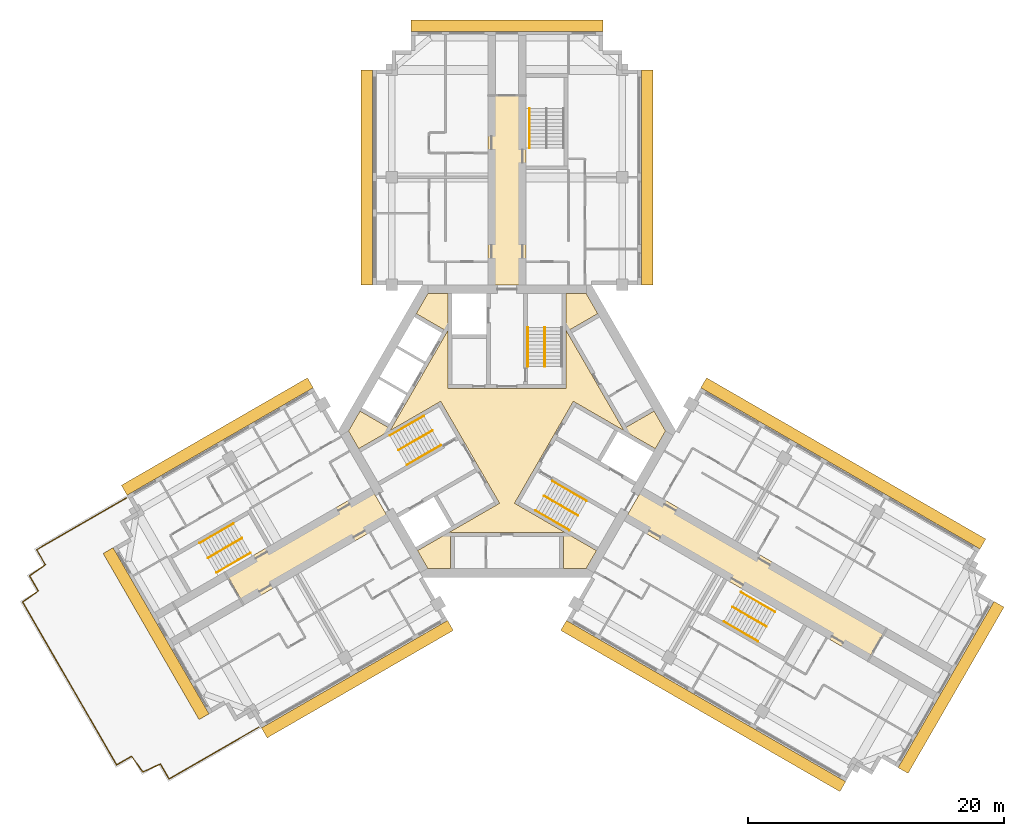
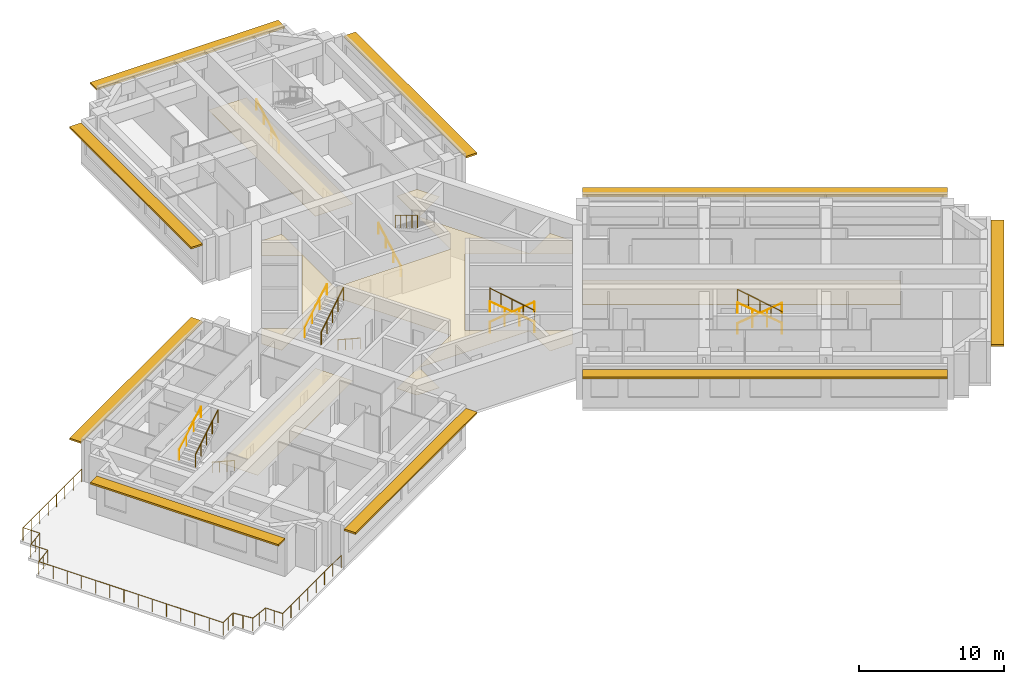
# One storey, part 10 of 11: 16 railings, 4 coverings, 3 shading devices.
"""IFC4 building model written with IfcOpenShell, lengths in metres."""

from ifc_helpers import new_model, si_unit, direction, frame, origin, origin_2d, place, context, subcontext, project, spatial, polyline, rectangle, circle, outline, extrude, material, layer, layer_set, type_object, element, save


model = new_model("IFC4")

# Units and contexts
model_context = context("Model", 3, precision=1e-05, world=origin(), true_north=direction((0.0, 1.0)))
body_context = subcontext(model_context, "Body", "Model", "MODEL_VIEW")
ifc_project = project(units=[si_unit("LENGTHUNIT", "METRE"), si_unit("AREAUNIT", "SQUARE_METRE"), si_unit("VOLUMEUNIT", "CUBIC_METRE"), si_unit("PLANEANGLEUNIT", "RADIAN"), si_unit("MASSUNIT", "GRAM", prefix="KILO")], contexts=[model_context])

# Site, building, storey
site_placement = place(None, origin())
site = spatial("IfcSite", under=ifc_project, at=site_placement, CompositionType="ELEMENT")
building_placement = place(site_placement, origin())
building = spatial("IfcBuilding", under=site, at=building_placement, Name="Impinga Residences", CompositionType="ELEMENT")
storey_placement = place(building_placement, frame((0.0, 0.0, 218.5)))
storey = spatial("IfcBuildingStorey", under=building, at=storey_placement, Name="L54", CompositionType="ELEMENT", Elevation=218.5)

# Coverings
ifc_material_1 = material(Name="Plasterboard 15 mm on steel hangers", Category="steel")
ifc_layer_1 = layer(ifc_material_1, 0.014892578125)
ifc_layer_set_1 = layer_set([ifc_layer_1], Name="Plasterboard 15 mm on steel hangers")
covering_type_1 = type_object("IfcCoveringType", Name="CL1 corridor ceiling, 15 mm plasterboard on hangers", PredefinedType="CEILING", material=ifc_layer_set_1)
covering_1_placement = place(storey_placement, frame((0.0, 0.0, 2.39990234375)))
element("IfcCovering", 1, at=covering_1_placement, inside=storey, type_object=covering_type_1, Name="Corridor ceiling CL1 L54-N00", PredefinedType="CEILING", context=body_context, shape_type="SweptSolid", body=[
    extrude(outline(polyline([(-1.5, 11.431640625), (1.5, 11.431640625), (1.5, 26.181640625), (-1.5, 26.181640625), (-1.5, 11.431640625)])), origin(), (0.0, 0.0, 1.0), 0.01513671875),
])
covering_2_placement = place(storey_placement, frame((0.0, 0.0, 2.39990234375)))
element("IfcCovering", 2, at=covering_2_placement, inside=storey, type_object=covering_type_1, Name="Corridor ceiling CL1 L54-W00", PredefinedType="CEILING", context=body_context, shape_type="SweptSolid", body=[
    extrude(outline(polyline([(-9.14990234375, -7.014892578125), (-10.64990234375, -4.416748046875), (-22.038330078125, -10.99169921875), (-20.538330078125, -13.58984375), (-9.14990234375, -7.014892578125)])), origin(), (0.0, 0.0, 1.0), 0.01513671875),
])
covering_3_placement = place(storey_placement, frame((0.0, 0.0, 2.39990234375)))
element("IfcCovering", 3, at=covering_3_placement, inside=storey, type_object=covering_type_1, Name="Corridor ceiling CL1 L54-E00", PredefinedType="CEILING", context=body_context, shape_type="SweptSolid", body=[
    extrude(outline(polyline([(10.64990234375, -4.416748046875), (9.14990234375, -7.014892578125), (28.1591796875, -17.98974609375), (29.6591796875, -15.391845703125), (10.64990234375, -4.416748046875)])), origin(), (0.0, 0.0, 1.0), 0.01513671875),
])
ifc_material_2 = material(Name="Mineral fibre tiles 20 mm on exposed grid", Category="mineral fibre")
ifc_layer_2 = layer(ifc_material_2, 0.02001953125)
ifc_layer_set_2 = layer_set([ifc_layer_2], Name="CL2 lift lobby ceiling, 20 mm mineral fibre tiles")
covering_type_2 = type_object("IfcCoveringType", Name="CL2 lift lobby ceiling, 20 mm mineral fibre tiles", PredefinedType="CEILING", material=ifc_layer_set_2)
covering_4_placement = place(storey_placement, frame((0.0, 0.0, 2.39990234375)))
element("IfcCovering", 4, at=covering_4_placement, inside=storey, type_object=covering_type_2, Name="Lift lobby ceiling CL2 L54-C01", PredefinedType="CEILING", context=body_context, shape_type="SweptSolid", body=[
    extrude(outline(polyline([(12.3916015625, 0.0), (11.59375, -1.382080078125), (5.183837890625, 2.318603515625), (0.583984375, -5.648681640625), (6.993896484375, -9.349365234375), (6.19580078125, -10.7314453125), (4.39990234375, -10.7314453125), (4.39990234375, -7.931640625), (-4.39990234375, -7.931640625), (-4.39990234375, -10.7314453125), (-6.19580078125, -10.7314453125), (-6.993896484375, -9.349365234375), (-0.583984375, -5.648681640625), (-5.183837890625, 2.318603515625), (-11.59375, -1.382080078125), (-12.3916015625, 0.0), (-11.493896484375, 1.55517578125), (-9.06884765625, 0.1552734375), (-4.6689453125, 7.7763671875), (-7.09375, 9.17626953125), (-6.19580078125, 10.7314453125), (-4.60009765625, 10.7314453125), (-4.60009765625, 3.330078125), (4.60009765625, 3.330078125), (4.60009765625, 10.7314453125), (6.19580078125, 10.7314453125), (7.09375, 9.17626953125), (4.6689453125, 7.7763671875), (9.06884765625, 0.1552734375), (11.493896484375, 1.55517578125), (12.3916015625, 0.0)])), origin(), (0.0, 0.0, 1.0), 0.02001953125),
])

# Railings
ifc_material_3 = material(Name="Steel guard, powder coated", Category="steel")
railing_type_1 = type_object("IfcRailingType", Name="GR1 stair guard 1100", PredefinedType="GUARDRAIL", material=ifc_material_3)
railing_1_placement = place(storey_placement, frame((2.949951171875, 8.110107421875, 1.875)))
element("IfcRailing", 5, at=railing_1_placement, inside=storey, type_object=railing_type_1, Name="Stair guard GR1 ST1 L54", PredefinedType="GUARDRAIL", context=body_context, shape_type="SweptSolid", body=[
    extrude(circle(Radius=0.02392578125, at=origin_2d()), frame((0.0, 0.0, 1.076171875), z_axis=(0.0, -0.854177636135, 0.519981313056), x_axis=(1.0, 0.0, 0.0)), (0.0, 0.0, 1.0), 3.60595703125),
    extrude(circle(Radius=0.02099609375, at=origin_2d()), origin(), (0.0, 0.0, 1.0), 1.052001953125),
    extrude(circle(Radius=0.02099609375, at=origin_2d()), frame((0.0, -0.77001953125, 0.46875)), (0.0, 0.0, 1.0), 1.052001953125),
    extrude(circle(Radius=0.02099609375, at=origin_2d()), frame((0.0, -1.5400390625, 0.9375)), (0.0, 0.0, 1.0), 1.052001953125),
    extrude(circle(Radius=0.02099609375, at=origin_2d()), frame((0.0, -2.31005859375, 1.40625)), (0.0, 0.0, 1.0), 1.052001953125),
    extrude(circle(Radius=0.02099609375, at=origin_2d()), frame((0.0, -3.080078125, 1.875)), (0.0, 0.0, 1.0), 1.052001953125),
])
railing_2_placement = place(storey_placement, frame((-8.49853515625, -1.500244140625, 1.875)))
element("IfcRailing", 6, at=railing_2_placement, inside=storey, type_object=railing_type_1, Name="Stair guard GR1 ST2 L54", PredefinedType="GUARDRAIL", context=body_context, shape_type="SweptSolid", body=[
    extrude(circle(Radius=0.02392578125, at=origin_2d()), frame((0.0, 0.0, 1.076171875), z_axis=(0.739746383972, 0.427084037168, 0.519975492303), x_axis=(-0.499992328818, 0.866029832698, 0.0)), (0.0, 0.0, 1.0), 3.60595703125),
    extrude(circle(Radius=0.02099609375, at=origin_2d()), origin(), (0.0, 0.0, 1.0), 1.052001953125),
    extrude(circle(Radius=0.02099609375, at=origin_2d()), frame((0.6669921875, 0.385009765625, 0.46875)), (0.0, 0.0, 1.0), 1.052001953125),
    extrude(circle(Radius=0.02099609375, at=origin_2d()), frame((1.333740234375, 0.77001953125, 0.9375)), (0.0, 0.0, 1.0), 1.052001953125),
    extrude(circle(Radius=0.02099609375, at=origin_2d()), frame((2.00048828125, 1.155029296875, 1.40625)), (0.0, 0.0, 1.0), 1.052001953125),
    extrude(circle(Radius=0.02099609375, at=origin_2d()), frame((2.66748046875, 1.5400390625, 1.875)), (0.0, 0.0, 1.0), 1.052001953125),
])
railing_3_placement = place(storey_placement, frame((5.548583984375, -6.60986328125, 1.875)))
element("IfcRailing", 7, at=railing_3_placement, inside=storey, type_object=railing_type_1, Name="Stair guard GR1 ST3 L54", PredefinedType="GUARDRAIL", context=body_context, shape_type="SweptSolid", body=[
    extrude(circle(Radius=0.02392578125, at=origin_2d()), frame((0.0, 0.0, 1.076171875), z_axis=(-0.739746383972, 0.427084037168, 0.519975492303), x_axis=(-0.499992328818, -0.866029832698, 0.0)), (0.0, 0.0, 1.0), 3.60595703125),
    extrude(circle(Radius=0.02099609375, at=origin_2d()), origin(), (0.0, 0.0, 1.0), 1.052001953125),
    extrude(circle(Radius=0.02099609375, at=origin_2d()), frame((-0.6669921875, 0.385009765625, 0.46875)), (0.0, 0.0, 1.0), 1.052001953125),
    extrude(circle(Radius=0.02099609375, at=origin_2d()), frame((-1.333740234375, 0.77001953125, 0.9375)), (0.0, 0.0, 1.0), 1.052001953125),
    extrude(circle(Radius=0.02099609375, at=origin_2d()), frame((-2.00048828125, 1.155029296875, 1.40625)), (0.0, 0.0, 1.0), 1.052001953125),
    extrude(circle(Radius=0.02099609375, at=origin_2d()), frame((-2.66748046875, 1.5400390625, 1.875)), (0.0, 0.0, 1.0), 1.052001953125),
])
railing_4_placement = place(storey_placement, frame((-23.3837890625, -9.921142578125, 1.875)))
element("IfcRailing", 8, at=railing_4_placement, inside=storey, type_object=railing_type_1, Name="Stair guard GR1 WS2 L54", PredefinedType="GUARDRAIL", context=body_context, shape_type="SweptSolid", body=[
    extrude(circle(Radius=0.02392578125, at=origin_2d()), frame((0.0, 0.0, 1.076171875), z_axis=(0.739715726454, 0.427105428144, 0.52000153585), x_axis=(-0.500026652407, 0.866010015463, 0.0)), (0.0, 0.0, 1.0), 3.605712890625),
    extrude(circle(Radius=0.02099609375, at=origin_2d()), origin(), (0.0, 0.0, 1.0), 1.052001953125),
    extrude(circle(Radius=0.02099609375, at=origin_2d()), frame((0.666748046875, 0.385009765625, 0.46875)), (0.0, 0.0, 1.0), 1.052001953125),
    extrude(circle(Radius=0.02099609375, at=origin_2d()), frame((1.33349609375, 0.77001953125, 0.9375)), (0.0, 0.0, 1.0), 1.052001953125),
    extrude(circle(Radius=0.02099609375, at=origin_2d()), frame((2.00048828125, 1.155029296875, 1.40625)), (0.0, 0.0, 1.0), 1.052001953125),
    extrude(circle(Radius=0.02099609375, at=origin_2d()), frame((2.667236328125, 1.5400390625, 1.875)), (0.0, 0.0, 1.0), 1.052001953125),
])
railing_5_placement = place(storey_placement, frame((20.283935546875, -15.29052734375, 1.875)))
element("IfcRailing", 9, at=railing_5_placement, inside=storey, type_object=railing_type_1, Name="Stair guard GR1 WS3 L54", PredefinedType="GUARDRAIL", context=body_context, shape_type="SweptSolid", body=[
    extrude(circle(Radius=0.02392578125, at=origin_2d()), frame((0.0, 0.0, 1.076171875), z_axis=(-0.739746383972, 0.427084037168, 0.519975492303), x_axis=(-0.499992328818, -0.866029832698, 0.0)), (0.0, 0.0, 1.0), 3.60595703125),
    extrude(circle(Radius=0.02099609375, at=origin_2d()), origin(), (0.0, 0.0, 1.0), 1.052001953125),
    extrude(circle(Radius=0.02099609375, at=origin_2d()), frame((-0.6669921875, 0.385009765625, 0.46875)), (0.0, 0.0, 1.0), 1.052001953125),
    extrude(circle(Radius=0.02099609375, at=origin_2d()), frame((-1.333740234375, 0.77001953125, 0.9375)), (0.0, 0.0, 1.0), 1.052001953125),
    extrude(circle(Radius=0.02099609375, at=origin_2d()), frame((-2.00048828125, 1.155029296875, 1.40625)), (0.0, 0.0, 1.0), 1.052001953125),
    extrude(circle(Radius=0.02099609375, at=origin_2d()), frame((-2.66748046875, 1.5400390625, 1.875)), (0.0, 0.0, 1.0), 1.052001953125),
])
ifc_material_4 = material(Name="Laminated glass guard, stainless steel top rail", Category="steel")
railing_type_2 = type_object("IfcRailingType", Name="GT1 terrace guard 1100, glass infill", PredefinedType="GUARDRAIL", material=ifc_material_4)
railing_6_placement = place(storey_placement, frame((-19.405029296875, -23.154541015625, 0.0)))
element("IfcRailing", 10, at=railing_6_placement, inside=storey, type_object=railing_type_2, Name="Terrace guard GT1 L54", PredefinedType="GUARDRAIL", context=body_context, shape_type="SweptSolid", body=[
    extrude(circle(Radius=0.02392578125, at=origin_2d()), frame((0.0, 0.0, 1.076171875), z_axis=(-0.866021434139, -0.500006875564, 0.0), x_axis=(0.500006875564, -0.866021434139, 0.0)), (0.0, 0.0, 1.0), 8.09912109375),
    extrude(circle(Radius=0.02392578125, at=origin_2d()), frame((-7.013916015625, -4.049560546875, 1.076171875), z_axis=(-0.50000943426, 0.866019956843, 0.0), x_axis=(-0.866019956843, -0.50000943426, 0.0)), (0.0, 0.0, 1.0), 1.35009765625),
    extrude(circle(Radius=0.02392578125, at=origin_2d()), frame((-7.68896484375, -2.88037109375, 1.076171875), z_axis=(-0.911472474848, -0.411361067184, 0.0), x_axis=(0.411361067184, -0.911472474848, 0.0)), (0.0, 0.0, 1.0), 1.507568359375),
    extrude(circle(Radius=0.02392578125, at=origin_2d()), frame((-9.06298828125, -3.50048828125, 1.076171875), z_axis=(-0.583732828517, 0.811945801708, 0.0), x_axis=(-0.811945801708, -0.583732828517, 0.0)), (0.0, 0.0, 1.0), 1.50732421875),
    extrude(circle(Radius=0.02392578125, at=origin_2d()), frame((-9.94287109375, -2.276611328125, 1.076171875), z_axis=(-0.866098258242, -0.499873791142, 0.0), x_axis=(0.499873791142, -0.866098258242, 0.0)), (0.0, 0.0, 1.0), 1.349853515625),
    extrude(circle(Radius=0.02392578125, at=origin_2d()), frame((-11.112060546875, -2.951416015625, 1.076171875), z_axis=(-0.49999560994, 0.866027938372, 0.0), x_axis=(-0.866027938372, -0.49999560994, 0.0)), (0.0, 0.0, 1.0), 14.699951171875),
    extrude(circle(Radius=0.02392578125, at=origin_2d()), frame((-18.4619140625, 9.779052734375, 1.076171875), z_axis=(0.811945801708, 0.583732828517, 0.0), x_axis=(-0.583732828517, 0.811945801708, 0.0)), (0.0, 0.0, 1.0), 1.50732421875),
    extrude(circle(Radius=0.02392578125, at=origin_2d()), frame((-17.238037109375, 10.658935546875, 1.076171875), z_axis=(-0.499873791142, 0.866098258242, 0.0), x_axis=(-0.866098258242, -0.499873791142, 0.0)), (0.0, 0.0, 1.0), 1.349853515625),
    extrude(circle(Radius=0.02392578125, at=origin_2d()), frame((-17.912841796875, 11.828125, 1.076171875), z_axis=(0.811945801708, 0.583732828517, 0.0), x_axis=(-0.583732828517, 0.811945801708, 0.0)), (0.0, 0.0, 1.0), 1.50732421875),
    extrude(circle(Radius=0.02392578125, at=origin_2d()), frame((-16.68896484375, 12.7080078125, 1.076171875), z_axis=(-0.50000943426, 0.866019956843, 0.0), x_axis=(-0.866019956843, -0.50000943426, 0.0)), (0.0, 0.0, 1.0), 1.35009765625),
    extrude(circle(Radius=0.02392578125, at=origin_2d()), frame((-17.364013671875, 13.877197265625, 1.076171875), z_axis=(0.866028970177, 0.499993822775, 0.0), x_axis=(-0.499993822775, 0.866028970177, 0.0)), (0.0, 0.0, 1.0), 8.09912109375),
    extrude(circle(Radius=0.02099609375, at=origin_2d()), origin(), (0.0, 0.0, 1.0), 1.052001953125),
    extrude(circle(Radius=0.02099609375, at=origin_2d()), frame((-1.001953125, -0.57861328125, 0.0)), (0.0, 0.0, 1.0), 1.052001953125),
    extrude(circle(Radius=0.02099609375, at=origin_2d()), frame((-2.00390625, -1.156982421875, 0.0)), (0.0, 0.0, 1.0), 1.052001953125),
    extrude(circle(Radius=0.02099609375, at=origin_2d()), frame((-3.005859375, -1.735595703125, 0.0)), (0.0, 0.0, 1.0), 1.052001953125),
    extrude(circle(Radius=0.02099609375, at=origin_2d()), frame((-4.008056640625, -2.31396484375, 0.0)), (0.0, 0.0, 1.0), 1.052001953125),
    extrude(circle(Radius=0.02099609375, at=origin_2d()), frame((-5.010009765625, -2.892578125, 0.0)), (0.0, 0.0, 1.0), 1.052001953125),
    extrude(circle(Radius=0.02099609375, at=origin_2d()), frame((-6.011962890625, -3.470947265625, 0.0)), (0.0, 0.0, 1.0), 1.052001953125),
    extrude(circle(Radius=0.02099609375, at=origin_2d()), frame((-7.013916015625, -4.049560546875, 0.0)), (0.0, 0.0, 1.0), 1.052001953125),
    extrude(circle(Radius=0.02099609375, at=origin_2d()), frame((-7.3515625, -3.46484375, 0.0)), (0.0, 0.0, 1.0), 1.052001953125),
    extrude(circle(Radius=0.02099609375, at=origin_2d()), frame((-7.68896484375, -2.88037109375, 0.0)), (0.0, 0.0, 1.0), 1.052001953125),
    extrude(circle(Radius=0.02099609375, at=origin_2d()), frame((-8.3759765625, -3.1904296875, 0.0)), (0.0, 0.0, 1.0), 1.052001953125),
    extrude(circle(Radius=0.02099609375, at=origin_2d()), frame((-9.06298828125, -3.50048828125, 0.0)), (0.0, 0.0, 1.0), 1.052001953125),
    extrude(circle(Radius=0.02099609375, at=origin_2d()), frame((-9.5029296875, -2.888671875, 0.0)), (0.0, 0.0, 1.0), 1.052001953125),
    extrude(circle(Radius=0.02099609375, at=origin_2d()), frame((-9.94287109375, -2.276611328125, 0.0)), (0.0, 0.0, 1.0), 1.052001953125),
    extrude(circle(Radius=0.02099609375, at=origin_2d()), frame((-10.52734375, -2.614013671875, 0.0)), (0.0, 0.0, 1.0), 1.052001953125),
    extrude(circle(Radius=0.02099609375, at=origin_2d()), frame((-11.112060546875, -2.951416015625, 0.0)), (0.0, 0.0, 1.0), 1.052001953125),
    extrude(circle(Radius=0.02099609375, at=origin_2d()), frame((-11.677490234375, -1.97216796875, 0.0)), (0.0, 0.0, 1.0), 1.052001953125),
    extrude(circle(Radius=0.02099609375, at=origin_2d()), frame((-12.242919921875, -0.992919921875, 0.0)), (0.0, 0.0, 1.0), 1.052001953125),
    extrude(circle(Radius=0.02099609375, at=origin_2d()), frame((-12.80810546875, -0.013671875, 0.0)), (0.0, 0.0, 1.0), 1.052001953125),
    extrude(circle(Radius=0.02099609375, at=origin_2d()), frame((-13.37353515625, 0.965576171875, 0.0)), (0.0, 0.0, 1.0), 1.052001953125),
    extrude(circle(Radius=0.02099609375, at=origin_2d()), frame((-13.93896484375, 1.94482421875, 0.0)), (0.0, 0.0, 1.0), 1.052001953125),
    extrude(circle(Radius=0.02099609375, at=origin_2d()), frame((-14.50439453125, 2.924072265625, 0.0)), (0.0, 0.0, 1.0), 1.052001953125),
    extrude(circle(Radius=0.02099609375, at=origin_2d()), frame((-15.069580078125, 3.903564453125, 0.0)), (0.0, 0.0, 1.0), 1.052001953125),
    extrude(circle(Radius=0.02099609375, at=origin_2d()), frame((-15.635009765625, 4.8828125, 0.0)), (0.0, 0.0, 1.0), 1.052001953125),
    extrude(circle(Radius=0.02099609375, at=origin_2d()), frame((-16.200439453125, 5.862060546875, 0.0)), (0.0, 0.0, 1.0), 1.052001953125),
    extrude(circle(Radius=0.02099609375, at=origin_2d()), frame((-16.765869140625, 6.84130859375, 0.0)), (0.0, 0.0, 1.0), 1.052001953125),
    extrude(circle(Radius=0.02099609375, at=origin_2d()), frame((-17.3310546875, 7.820556640625, 0.0)), (0.0, 0.0, 1.0), 1.052001953125),
    extrude(circle(Radius=0.02099609375, at=origin_2d()), frame((-17.896484375, 8.7998046875, 0.0)), (0.0, 0.0, 1.0), 1.052001953125),
    extrude(circle(Radius=0.02099609375, at=origin_2d()), frame((-18.4619140625, 9.779052734375, 0.0)), (0.0, 0.0, 1.0), 1.052001953125),
    extrude(circle(Radius=0.02099609375, at=origin_2d()), frame((-17.85009765625, 10.218994140625, 0.0)), (0.0, 0.0, 1.0), 1.052001953125),
    extrude(circle(Radius=0.02099609375, at=origin_2d()), frame((-17.238037109375, 10.658935546875, 0.0)), (0.0, 0.0, 1.0), 1.052001953125),
    extrude(circle(Radius=0.02099609375, at=origin_2d()), frame((-17.575439453125, 11.24365234375, 0.0)), (0.0, 0.0, 1.0), 1.052001953125),
    extrude(circle(Radius=0.02099609375, at=origin_2d()), frame((-17.912841796875, 11.828125, 0.0)), (0.0, 0.0, 1.0), 1.052001953125),
    extrude(circle(Radius=0.02099609375, at=origin_2d()), frame((-17.30078125, 12.26806640625, 0.0)), (0.0, 0.0, 1.0), 1.052001953125),
    extrude(circle(Radius=0.02099609375, at=origin_2d()), frame((-16.68896484375, 12.7080078125, 0.0)), (0.0, 0.0, 1.0), 1.052001953125),
    extrude(circle(Radius=0.02099609375, at=origin_2d()), frame((-17.0263671875, 13.29248046875, 0.0)), (0.0, 0.0, 1.0), 1.052001953125),
    extrude(circle(Radius=0.02099609375, at=origin_2d()), frame((-17.364013671875, 13.877197265625, 0.0)), (0.0, 0.0, 1.0), 1.052001953125),
    extrude(circle(Radius=0.02099609375, at=origin_2d()), frame((-16.362060546875, 14.455810546875, 0.0)), (0.0, 0.0, 1.0), 1.052001953125),
    extrude(circle(Radius=0.02099609375, at=origin_2d()), frame((-15.35986328125, 15.0341796875, 0.0)), (0.0, 0.0, 1.0), 1.052001953125),
    extrude(circle(Radius=0.02099609375, at=origin_2d()), frame((-14.35791015625, 15.61279296875, 0.0)), (0.0, 0.0, 1.0), 1.052001953125),
    extrude(circle(Radius=0.02099609375, at=origin_2d()), frame((-13.35595703125, 16.191162109375, 0.0)), (0.0, 0.0, 1.0), 1.052001953125),
    extrude(circle(Radius=0.02099609375, at=origin_2d()), frame((-12.35400390625, 16.769775390625, 0.0)), (0.0, 0.0, 1.0), 1.052001953125),
    extrude(circle(Radius=0.02099609375, at=origin_2d()), frame((-11.351806640625, 17.34814453125, 0.0)), (0.0, 0.0, 1.0), 1.052001953125),
    extrude(circle(Radius=0.02099609375, at=origin_2d()), frame((-10.349853515625, 17.9267578125, 0.0)), (0.0, 0.0, 1.0), 1.052001953125),
])
ifc_material_5 = material(Name="Steel handrail tube 42 mm, powder coated", Category="steel")
railing_type_3 = type_object("IfcRailingType", Name="HR1 stair handrail, 42 mm steel tube, 900 above the pitch line", PredefinedType="HANDRAIL", material=ifc_material_5)
railing_7_placement = place(storey_placement, frame((1.62109375, 5.030029296875, 0.15625)))
element("IfcRailing", 11, at=railing_7_placement, inside=storey, type_object=railing_type_3, Name="Stair handrail HR1 ST1 L54", PredefinedType="HANDRAIL", context=body_context, shape_type="SweptSolid", body=[
    extrude(circle(Radius=0.02099609375, at=origin_2d()), frame((0.0, 0.0, 0.87890625), z_axis=(0.0, 0.873241540666, 0.487287606713), x_axis=(-1.0, 0.0, 0.0)), (0.0, 0.0, 1.0), 3.527099609375),
    extrude(circle(Radius=0.012451171875, at=origin_2d()), origin(), (0.0, 0.0, 1.0), 0.85791015625),
    extrude(circle(Radius=0.012451171875, at=origin_2d()), frame((0.0, 1.026611328125, 0.572998046875)), (0.0, 0.0, 1.0), 0.85791015625),
    extrude(circle(Radius=0.012451171875, at=origin_2d()), frame((0.0, 2.053466796875, 1.145751953125)), (0.0, 0.0, 1.0), 0.85791015625),
    extrude(circle(Radius=0.012451171875, at=origin_2d()), frame((0.0, 3.080078125, 1.71875)), (0.0, 0.0, 1.0), 0.85791015625),
])
railing_8_placement = place(storey_placement, frame((-5.16650390625, -1.111083984375, 0.15625)))
element("IfcRailing", 12, at=railing_8_placement, inside=storey, type_object=railing_type_3, Name="Stair handrail HR1 ST2 L54", PredefinedType="HANDRAIL", context=body_context, shape_type="SweptSolid", body=[
    extrude(circle(Radius=0.02099609375, at=origin_2d()), frame((0.0, 0.0, 0.87890625), z_axis=(-0.756255980417, -0.436615662133, 0.487281905742), x_axis=(0.499992328818, -0.866029832698, 0.0)), (0.0, 0.0, 1.0), 3.527099609375),
    extrude(circle(Radius=0.012451171875, at=origin_2d()), origin(), (0.0, 0.0, 1.0), 0.85791015625),
    extrude(circle(Radius=0.012451171875, at=origin_2d()), frame((-0.88916015625, -0.513427734375, 0.572998046875)), (0.0, 0.0, 1.0), 0.85791015625),
    extrude(circle(Radius=0.012451171875, at=origin_2d()), frame((-1.7783203125, -1.026611328125, 1.145751953125)), (0.0, 0.0, 1.0), 0.85791015625),
    extrude(circle(Radius=0.012451171875, at=origin_2d()), frame((-2.66748046875, -1.5400390625, 1.71875)), (0.0, 0.0, 1.0), 0.85791015625),
])
railing_9_placement = place(storey_placement, frame((-9.1630859375, -0.349365234375, 2.03125)))
element("IfcRailing", 13, at=railing_9_placement, inside=storey, type_object=railing_type_3, Name="Stair handrail HR1 ST2 L54", PredefinedType="HANDRAIL", context=body_context, shape_type="SweptSolid", body=[
    extrude(circle(Radius=0.02099609375, at=origin_2d()), frame((0.0, 0.0, 0.87890625), z_axis=(0.756255980417, 0.436615662133, 0.487281905742), x_axis=(-0.499992328818, 0.866029832698, 0.0)), (0.0, 0.0, 1.0), 3.527099609375),
    extrude(circle(Radius=0.012451171875, at=origin_2d()), origin(), (0.0, 0.0, 1.0), 0.85791015625),
    extrude(circle(Radius=0.012451171875, at=origin_2d()), frame((0.88916015625, 0.513427734375, 0.572998046875)), (0.0, 0.0, 1.0), 0.85791015625),
    extrude(circle(Radius=0.012451171875, at=origin_2d()), frame((1.7783203125, 1.026611328125, 1.145751953125)), (0.0, 0.0, 1.0), 0.85791015625),
    extrude(circle(Radius=0.012451171875, at=origin_2d()), frame((2.66748046875, 1.5400390625, 1.71875)), (0.0, 0.0, 1.0), 0.85791015625),
])
railing_10_placement = place(storey_placement, frame((3.545654296875, -3.9189453125, 0.15625)))
element("IfcRailing", 14, at=railing_10_placement, inside=storey, type_object=railing_type_3, Name="Stair handrail HR1 ST3 L54", PredefinedType="HANDRAIL", context=body_context, shape_type="SweptSolid", body=[
    extrude(circle(Radius=0.02099609375, at=origin_2d()), frame((0.0, 0.0, 0.87890625), z_axis=(0.756249203677, -0.436582492228, 0.487322141317), x_axis=(0.499967199496, 0.866044340336, 0.0)), (0.0, 0.0, 1.0), 3.52685546875),
    extrude(circle(Radius=0.012451171875, at=origin_2d()), origin(), (0.0, 0.0, 1.0), 0.85791015625),
    extrude(circle(Radius=0.012451171875, at=origin_2d()), frame((0.88916015625, -0.51318359375, 0.572998046875)), (0.0, 0.0, 1.0), 0.85791015625),
    extrude(circle(Radius=0.012451171875, at=origin_2d()), frame((1.778076171875, -1.026611328125, 1.145751953125)), (0.0, 0.0, 1.0), 0.85791015625),
    extrude(circle(Radius=0.012451171875, at=origin_2d()), frame((2.667236328125, -1.539794921875, 1.71875)), (0.0, 0.0, 1.0), 0.85791015625),
])
railing_11_placement = place(storey_placement, frame((4.884033203125, -7.7607421875, 2.03125)))
element("IfcRailing", 15, at=railing_11_placement, inside=storey, type_object=railing_type_3, Name="Stair handrail HR1 ST3 L54", PredefinedType="HANDRAIL", context=body_context, shape_type="SweptSolid", body=[
    extrude(circle(Radius=0.02099609375, at=origin_2d()), frame((0.0, 0.0, 0.87890625), z_axis=(-0.756255980417, 0.436615662133, 0.487281905742), x_axis=(-0.499992328818, -0.866029832698, 0.0)), (0.0, 0.0, 1.0), 3.527099609375),
    extrude(circle(Radius=0.012451171875, at=origin_2d()), origin(), (0.0, 0.0, 1.0), 0.85791015625),
    extrude(circle(Radius=0.012451171875, at=origin_2d()), frame((-0.88916015625, 0.513427734375, 0.572998046875)), (0.0, 0.0, 1.0), 0.85791015625),
    extrude(circle(Radius=0.012451171875, at=origin_2d()), frame((-1.7783203125, 1.026611328125, 1.145751953125)), (0.0, 0.0, 1.0), 0.85791015625),
    extrude(circle(Radius=0.012451171875, at=origin_2d()), frame((-2.66748046875, 1.5400390625, 1.71875)), (0.0, 0.0, 1.0), 0.85791015625),
])
railing_12_placement = place(storey_placement, frame((1.77099609375, 22.131591796875, 0.15625)))
element("IfcRailing", 16, at=railing_12_placement, inside=storey, type_object=railing_type_3, Name="Stair handrail HR1 WS1 L54", PredefinedType="HANDRAIL", context=body_context, shape_type="SweptSolid", body=[
    extrude(circle(Radius=0.02099609375, at=origin_2d()), frame((0.0, 0.0, 0.87890625), z_axis=(0.0, 0.873225103656, 0.487317061414), x_axis=(-1.0, 0.0, 0.0)), (0.0, 0.0, 1.0), 3.52685546875),
    extrude(circle(Radius=0.012451171875, at=origin_2d()), origin(), (0.0, 0.0, 1.0), 0.85791015625),
    extrude(circle(Radius=0.012451171875, at=origin_2d()), frame((0.0, 1.026611328125, 0.572998046875)), (0.0, 0.0, 1.0), 0.85791015625),
    extrude(circle(Radius=0.012451171875, at=origin_2d()), frame((0.0, 2.05322265625, 1.145751953125)), (0.0, 0.0, 1.0), 0.85791015625),
    extrude(circle(Radius=0.012451171875, at=origin_2d()), frame((0.0, 3.079833984375, 1.71875)), (0.0, 0.0, 1.0), 0.85791015625),
])
railing_13_placement = place(storey_placement, frame((-20.052001953125, -9.531982421875, 0.15625)))
element("IfcRailing", 17, at=railing_13_placement, inside=storey, type_object=railing_type_3, Name="Stair handrail HR1 WS2 L54", PredefinedType="HANDRAIL", context=body_context, shape_type="SweptSolid", body=[
    extrude(circle(Radius=0.02099609375, at=origin_2d()), frame((0.0, 0.0, 0.87890625), z_axis=(-0.756226348243, -0.436638517594, 0.487307413422), x_axis=(0.500026652407, -0.866010015463, 0.0)), (0.0, 0.0, 1.0), 3.527099609375),
    extrude(circle(Radius=0.012451171875, at=origin_2d()), origin(), (0.0, 0.0, 1.0), 0.85791015625),
    extrude(circle(Radius=0.012451171875, at=origin_2d()), frame((-0.88916015625, -0.513427734375, 0.572998046875)), (0.0, 0.0, 1.0), 0.85791015625),
    extrude(circle(Radius=0.012451171875, at=origin_2d()), frame((-1.778076171875, -1.026611328125, 1.145751953125)), (0.0, 0.0, 1.0), 0.85791015625),
    extrude(circle(Radius=0.012451171875, at=origin_2d()), frame((-2.667236328125, -1.5400390625, 1.71875)), (0.0, 0.0, 1.0), 0.85791015625),
])
railing_14_placement = place(storey_placement, frame((-24.04833984375, -8.77001953125, 2.03125)))
element("IfcRailing", 18, at=railing_14_placement, inside=storey, type_object=railing_type_3, Name="Stair handrail HR1 WS2 L54", PredefinedType="HANDRAIL", context=body_context, shape_type="SweptSolid", body=[
    extrude(circle(Radius=0.02099609375, at=origin_2d()), frame((0.0, 0.0, 0.87890625), z_axis=(0.756278834354, 0.436559638319, 0.487296631324), x_axis=(-0.499932877268, 0.866064153644, 0.0)), (0.0, 0.0, 1.0), 3.527099609375),
    extrude(circle(Radius=0.012451171875, at=origin_2d()), origin(), (0.0, 0.0, 1.0), 0.85791015625),
    extrude(circle(Radius=0.012451171875, at=origin_2d()), frame((0.88916015625, 0.51318359375, 0.572998046875)), (0.0, 0.0, 1.0), 0.85791015625),
    extrude(circle(Radius=0.012451171875, at=origin_2d()), frame((1.7783203125, 1.026611328125, 1.145751953125)), (0.0, 0.0, 1.0), 0.85791015625),
    extrude(circle(Radius=0.012451171875, at=origin_2d()), frame((2.66748046875, 1.539794921875, 1.71875)), (0.0, 0.0, 1.0), 0.85791015625),
])
railing_15_placement = place(storey_placement, frame((18.281005859375, -12.599609375, 0.15625)))
element("IfcRailing", 19, at=railing_15_placement, inside=storey, type_object=railing_type_3, Name="Stair handrail HR1 WS3 L54", PredefinedType="HANDRAIL", context=body_context, shape_type="SweptSolid", body=[
    extrude(circle(Radius=0.02099609375, at=origin_2d()), frame((0.0, 0.0, 0.87890625), z_axis=(0.756249203677, -0.436582492228, 0.487322141317), x_axis=(0.499967199496, 0.866044340336, 0.0)), (0.0, 0.0, 1.0), 3.52685546875),
    extrude(circle(Radius=0.012451171875, at=origin_2d()), origin(), (0.0, 0.0, 1.0), 0.85791015625),
    extrude(circle(Radius=0.012451171875, at=origin_2d()), frame((0.88916015625, -0.51318359375, 0.572998046875)), (0.0, 0.0, 1.0), 0.85791015625),
    extrude(circle(Radius=0.012451171875, at=origin_2d()), frame((1.778076171875, -1.026611328125, 1.145751953125)), (0.0, 0.0, 1.0), 0.85791015625),
    extrude(circle(Radius=0.012451171875, at=origin_2d()), frame((2.667236328125, -1.539794921875, 1.71875)), (0.0, 0.0, 1.0), 0.85791015625),
])
railing_16_placement = place(storey_placement, frame((19.619384765625, -16.44140625, 2.03125)))
element("IfcRailing", 20, at=railing_16_placement, inside=storey, type_object=railing_type_3, Name="Stair handrail HR1 WS3 L54", PredefinedType="HANDRAIL", context=body_context, shape_type="SweptSolid", body=[
    extrude(circle(Radius=0.02099609375, at=origin_2d()), frame((0.0, 0.0, 0.87890625), z_axis=(-0.756255980417, 0.436615662133, 0.487281905742), x_axis=(-0.499992328818, -0.866029832698, 0.0)), (0.0, 0.0, 1.0), 3.527099609375),
    extrude(circle(Radius=0.012451171875, at=origin_2d()), origin(), (0.0, 0.0, 1.0), 0.85791015625),
    extrude(circle(Radius=0.012451171875, at=origin_2d()), frame((-0.88916015625, 0.513427734375, 0.572998046875)), (0.0, 0.0, 1.0), 0.85791015625),
    extrude(circle(Radius=0.012451171875, at=origin_2d()), frame((-1.7783203125, 1.026611328125, 1.145751953125)), (0.0, 0.0, 1.0), 0.85791015625),
    extrude(circle(Radius=0.012451171875, at=origin_2d()), frame((-2.66748046875, 1.5400390625, 1.71875)), (0.0, 0.0, 1.0), 0.85791015625),
])

# Shading devices
ifc_material_6 = material(Name="Terracotta sunshade blades on aluminium brackets", Category="masonry")
ifc_layer_3 = layer(ifc_material_6, 0.14990234375)
ifc_layer_set_3 = layer_set([ifc_layer_3], Name="SS1 SUNSHADE terracotta sunshade band 900")
shading_device_type = type_object("IfcShadingDeviceType", Name="SS1 SUNSHADE terracotta sunshade band 900", PredefinedType="USERDEFINED", material=ifc_layer_set_3)
shading_device_1_placement = place(storey_placement, frame((-10.949951171875, 19.83154296875, 3.10009765625), z_axis=(0.0, 0.0, 1.0), x_axis=(0.0, 1.0, 0.0)))
element("IfcShadingDevice", 21, at=shading_device_1_placement, inside=storey, type_object=shading_device_type, Name="SUNSHADE band L54 NORTH WING", ObjectType="SUNSHADE", PredefinedType="USERDEFINED", context=body_context, shape_type="SweptSolid", body=[
    extrude(rectangle(XDim=16.800048828125, YDim=0.89990234375, at=origin_2d()), origin(), (0.0, 0.0, 1.0), 0.14990234375),
    extrude(rectangle(XDim=15.0, YDim=0.89990234375, at=origin_2d()), frame((11.85009765625, -10.949951171875, 0.0), z_axis=(0.0, 0.0, 1.0), x_axis=(0.0, -1.0, 0.0)), (0.0, 0.0, 1.0), 0.14990234375),
    extrude(rectangle(XDim=16.800048828125, YDim=0.89990234375, at=origin_2d()), frame((0.0, -21.89990234375, 0.0), z_axis=(0.0, 0.0, 1.0), x_axis=(-1.0, 0.0, 0.0)), (0.0, 0.0, 1.0), 0.14990234375),
])
shading_device_2_placement = place(storey_placement, frame((-11.69970703125, -19.398681640625, 3.10009765625), z_axis=(0.0, 0.0, 1.0), x_axis=(-0.866025403784, -0.5, 0.0)))
element("IfcShadingDevice", 22, at=shading_device_2_placement, inside=storey, type_object=shading_device_type, Name="SUNSHADE band L54 WEST WING", ObjectType="SUNSHADE", PredefinedType="USERDEFINED", context=body_context, shape_type="SweptSolid", body=[
    extrude(rectangle(XDim=16.800048828125, YDim=0.89990234375, at=origin_2d()), origin(), (0.0, 0.0, 1.0), 0.14990234375),
    extrude(rectangle(XDim=15.0, YDim=0.89990234375, at=origin_2d()), frame((11.849853515625, -10.949951171875, 0.0), z_axis=(0.0, 0.0, 1.0), x_axis=(0.0, -1.0, 0.0)), (0.0, 0.0, 1.0), 0.14990234375),
    extrude(rectangle(XDim=16.800048828125, YDim=0.89990234375, at=origin_2d()), frame((0.0, -21.89990234375, 0.0), z_axis=(0.0, 0.0, 1.0), x_axis=(-1.0, 0.0, 0.0)), (0.0, 0.0, 1.0), 0.14990234375),
])
shading_device_3_placement = place(storey_placement, frame((34.711669921875, -20.040771484375, 3.10009765625), z_axis=(0.0, 0.0, 1.0), x_axis=(-0.5, -0.866025403784, 0.0)))
element("IfcShadingDevice", 23, at=shading_device_3_placement, inside=storey, type_object=shading_device_type, Name="SUNSHADE band L54 EAST WING", ObjectType="SUNSHADE", PredefinedType="USERDEFINED", context=body_context, shape_type="SweptSolid", body=[
    extrude(rectangle(XDim=15.0, YDim=0.89990234375, at=origin_2d()), origin(), (0.0, 0.0, 1.0), 0.14990234375),
    extrude(rectangle(XDim=25.199951171875, YDim=0.89990234375, at=origin_2d()), frame((10.949951171875, -16.050048828125, 0.0), z_axis=(0.0, 0.0, 1.0), x_axis=(0.0, -1.0, 0.0)), (0.0, 0.0, 1.0), 0.14990234375),
    extrude(rectangle(XDim=25.199951171875, YDim=0.89990234375, at=origin_2d()), frame((-10.949951171875, -16.050048828125, 0.0), z_axis=(0.0, 0.0, 1.0), x_axis=(0.0, 1.0, 0.0)), (0.0, 0.0, 1.0), 0.14990234375),
])

save(model, "model.ifc")
